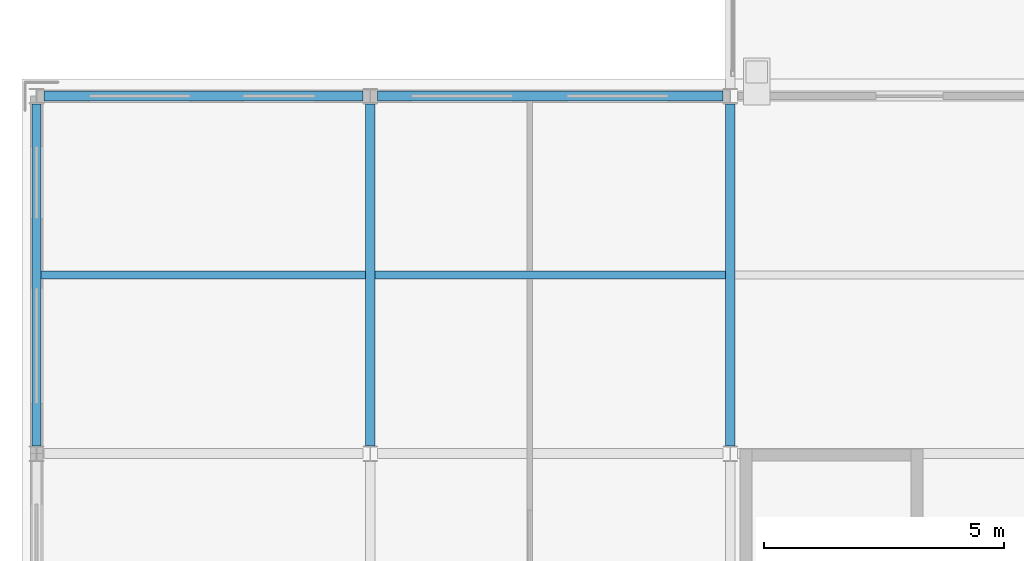
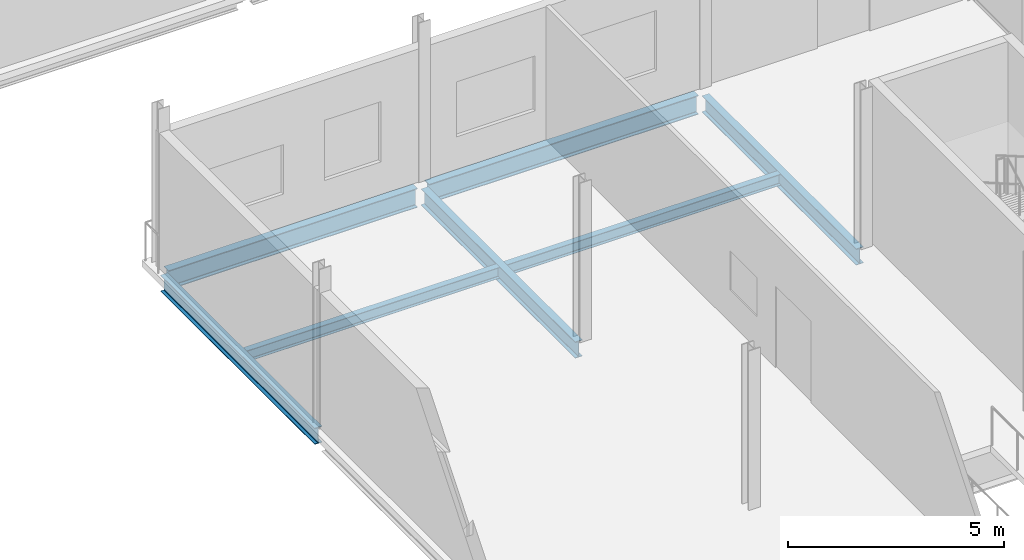
# One storey, part 19 of 77: 7 beams.
"""IFC4 building model written with IfcOpenShell, lengths in metres."""

from ifc_helpers import new_model, si_unit, direction, frame, origin, origin_2d, place, context, subcontext, project, spatial, i_section, extrude, material, material_profile, profile_set, type_object, element, save


model = new_model("IFC4")

# Units and contexts
model_context = context("Model", 3, precision=1e-05, world=origin(), true_north=direction((0.0, 1.0)))
body_context = subcontext(model_context, "Body", "Model", "MODEL_VIEW")
ifc_project = project(units=[si_unit("LENGTHUNIT", "METRE"), si_unit("AREAUNIT", "SQUARE_METRE"), si_unit("VOLUMEUNIT", "CUBIC_METRE"), si_unit("PLANEANGLEUNIT", "RADIAN"), si_unit("MASSUNIT", "GRAM", prefix="KILO")], contexts=[model_context])

# Site, building, storey
site_placement = place(None, origin())
site = spatial("IfcSite", under=ifc_project, at=site_placement, CompositionType="ELEMENT")
building_placement = place(site_placement, origin())
building = spatial("IfcBuilding", under=site, at=building_placement, Name="Quillay Park Conservatory", CompositionType="ELEMENT")
storey_placement = place(building_placement, frame((0.0, 0.0, 5.39990234375)))
storey = spatial("IfcBuildingStorey", under=building, at=storey_placement, Name="L01", CompositionType="ELEMENT", Elevation=5.39990234375)

# Beams
ifc_material_1 = material(Name="Steel ASTM A992 Grade 50", Category="steel")
ifc_material_profile_1 = material_profile(ifc_material_1, i_section(OverallWidth=0.166015625, OverallDepth=0.31298828125, WebThickness=0.006591796875, FlangeThickness=0.01123046875, FilletRadius=0.010009765625, at=origin_2d()), Name="W310x45")
ifc_profile_set_1 = profile_set([ifc_material_profile_1], Name="Steel ASTM A992 Grade 50")
beam_type_1 = type_object("IfcBeamType", Name="COMPOSITE FLOOR JOIST W310 X45", PredefinedType="JOIST", material=ifc_profile_set_1)
beam_1_placement = place(storey_placement, frame((0.64599609375, 50.52490234375, -0.346435546875), z_axis=(1.0, 0.0, 0.0), x_axis=(0.0, 1.0, 0.0)))
element("IfcBeam", 1, at=beam_1_placement, inside=storey, type_object=beam_type_1, Name="L01 beam BM-V3J-1322", PredefinedType="JOIST", context=body_context, shape_type="SweptSolid", body=[
    extrude(i_section(OverallWidth=0.166015625, OverallDepth=0.31298828125, WebThickness=0.006591796875, FlangeThickness=0.01123046875, FilletRadius=0.010009765625, at=origin_2d()), origin(), (0.0, 0.0, 1.0), 6.758056640625),
])
beam_2_placement = place(storey_placement, frame((7.595947265625, 50.52490234375, -0.346435546875), z_axis=(1.0, 0.0, 0.0), x_axis=(0.0, 1.0, 0.0)))
element("IfcBeam", 2, at=beam_2_placement, inside=storey, type_object=beam_type_1, Name="L01 beam BM-V3J-1323", PredefinedType="JOIST", context=body_context, shape_type="SweptSolid", body=[
    extrude(i_section(OverallWidth=0.166015625, OverallDepth=0.31298828125, WebThickness=0.006591796875, FlangeThickness=0.01123046875, FilletRadius=0.010009765625, at=origin_2d()), origin(), (0.0, 0.0, 1.0), 7.30810546875),
])
ifc_material_2 = material(Name="Steel ASTM A992 Grade 50", Category="steel")
ifc_material_profile_2 = material_profile(ifc_material_2, i_section(OverallWidth=0.19189453125, OverallDepth=0.462890625, WebThickness=0.010498046875, FlangeThickness=0.017578125, FilletRadius=0.012939453125, at=origin_2d()), Name="W460x89")
ifc_profile_set_2 = profile_set([ifc_material_profile_2], Name="Steel ASTM A992 Grade 50")
beam_type_2 = type_object("IfcBeamType", Name="PRIMARY FLOOR GIRDER W460 X89", PredefinedType="BEAM", material=ifc_profile_set_2)
for number, where, z_axis, x_axis, name in (
    (3, (0.550048828125, 46.96142578125, -0.42138671875), (0.0, 1.0, 0.0), (-1.0, 0.0, 0.0), "L01 beam BM-V3Y-1289"),
    (4, (7.5, 46.96142578125, -0.42138671875), (0.0, 1.0, 0.0), (-1.0, 0.0, 0.0), "L01 beam BM-V3Y-1295"),
    (5, (15.0, 46.96142578125, -0.42138671875), (0.0, 1.0, 0.0), (-1.0, 0.0, 0.0), "L01 beam BM-V3Y-1302"),
):
    element("IfcBeam", number, at=place(storey_placement, frame(where, z_axis=z_axis, x_axis=x_axis)), inside=storey, type_object=beam_type_2, Name=name, PredefinedType="BEAM", context=body_context, shape_type="SweptSolid", body=[
        extrude(i_section(OverallWidth=0.19189453125, OverallDepth=0.462890625, WebThickness=0.010498046875, FlangeThickness=0.017578125, FilletRadius=0.012939453125, at=origin_2d()), origin(), (0.0, 0.0, 1.0), 7.126953125),
    ])
ifc_material_3 = material(Name="Steel ASTM A992 Grade 50", Category="steel")
ifc_material_profile_3 = material_profile(ifc_material_3, i_section(OverallWidth=0.2109375, OverallDepth=0.5390625, WebThickness=0.01171875, FlangeThickness=0.018798828125, FilletRadius=0.013916015625, at=origin_2d()), Name="W530x109")
ifc_profile_set_3 = profile_set([ifc_material_profile_3], Name="Steel ASTM A992 Grade 50")
beam_type_3 = type_object("IfcBeamType", Name="PRIMARY FLOOR GIRDER W530 X109", PredefinedType="BEAM", material=ifc_profile_set_3)
beam_3_placement = place(storey_placement, frame((0.70458984375, 54.25, -0.45947265625), z_axis=(1.0, 0.0, 0.0), x_axis=(0.0, 1.0, 0.0)))
element("IfcBeam", 6, at=beam_3_placement, inside=storey, type_object=beam_type_3, Name="L01 beam BM-V3X-1280", PredefinedType="BEAM", context=body_context, shape_type="SweptSolid", body=[
    extrude(i_section(OverallWidth=0.2109375, OverallDepth=0.5390625, WebThickness=0.01171875, FlangeThickness=0.018798828125, FilletRadius=0.013916015625, at=origin_2d()), origin(), (0.0, 0.0, 1.0), 6.640869140625),
])
beam_4_placement = place(storey_placement, frame((7.654541015625, 54.25, -0.45947265625), z_axis=(1.0, 0.0, 0.0), x_axis=(0.0, 1.0, 0.0)))
element("IfcBeam", 7, at=beam_4_placement, inside=storey, type_object=beam_type_3, Name="L01 beam BM-V3X-1281", PredefinedType="BEAM", context=body_context, shape_type="SweptSolid", body=[
    extrude(i_section(OverallWidth=0.2109375, OverallDepth=0.5390625, WebThickness=0.01171875, FlangeThickness=0.018798828125, FilletRadius=0.013916015625, at=origin_2d()), origin(), (0.0, 0.0, 1.0), 7.19091796875),
])

save(model, "model.ifc")
